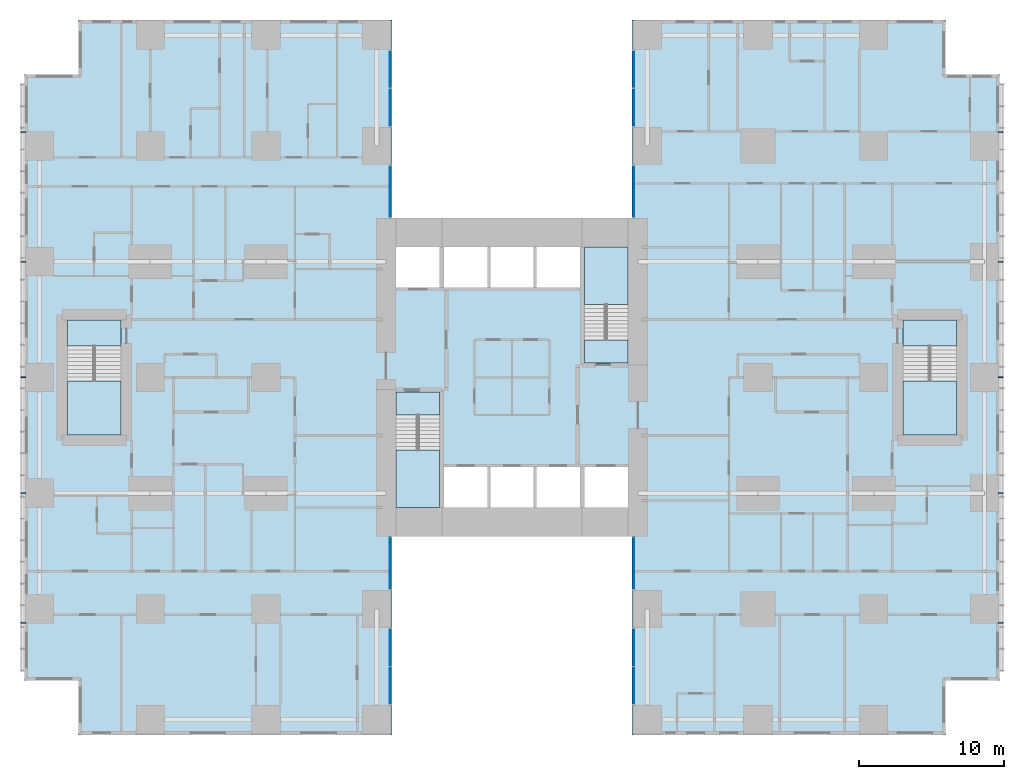
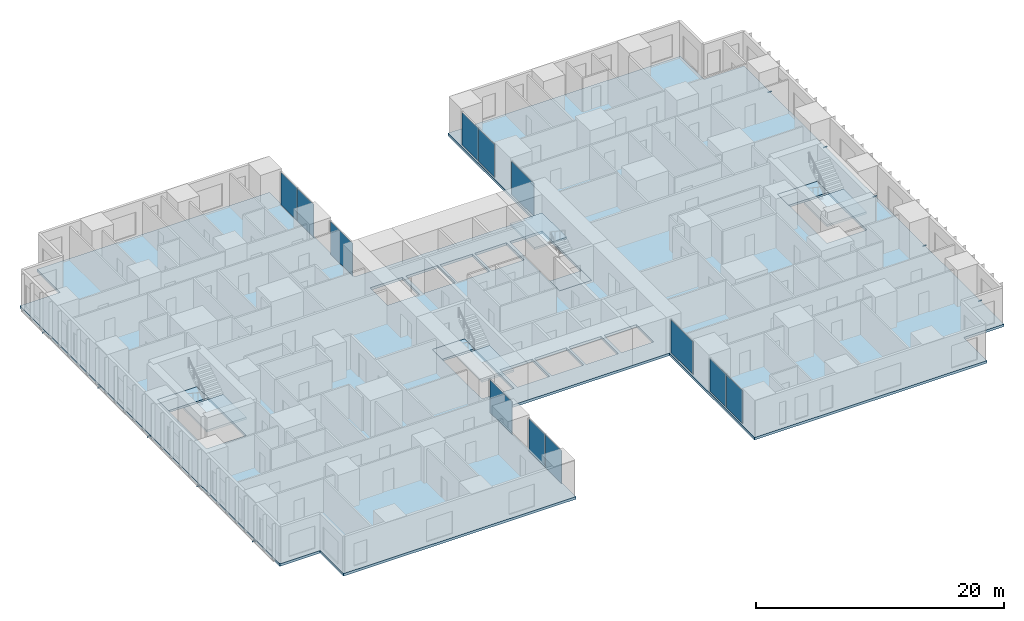
# One storey, part 7 of 20: 12 plates, 10 members, 9 slabs, 12 elements without a shape of their own.
"""IFC4 building model written with IfcOpenShell, lengths in metres."""

from ifc_helpers import new_model, si_unit, direction, frame, origin, origin_2d, place, context, subcontext, project, spatial, polyline, rectangle, hollow_rectangle, outline, extrude, material, layer, layer_set, material_profile, profile_set, type_object, element, aggregate, save


model = new_model("IFC4")

# Units and contexts
model_context = context("Model", 3, precision=1e-05, world=origin(), true_north=direction((0.0, 1.0)))
body_context = subcontext(model_context, "Body", "Model", "MODEL_VIEW")
ifc_project = project(units=[si_unit("LENGTHUNIT", "METRE"), si_unit("AREAUNIT", "SQUARE_METRE"), si_unit("VOLUMEUNIT", "CUBIC_METRE"), si_unit("PLANEANGLEUNIT", "RADIAN"), si_unit("MASSUNIT", "GRAM", prefix="KILO")], contexts=[model_context])

# Site, building, storey
site_placement = place(None, origin())
site = spatial("IfcSite", under=ifc_project, at=site_placement, CompositionType="ELEMENT")
building_placement = place(site_placement, origin())
building = spatial("IfcBuilding", under=site, at=building_placement, Name="Cleftline Residences", CompositionType="ELEMENT")
storey_placement = place(building_placement, frame((0.0, 0.0, 110.60009765625)))
storey = spatial("IfcBuildingStorey", under=building, at=storey_placement, Name="L28", CompositionType="ELEMENT", Elevation=110.60009765625)

# Members
ifc_material_1 = material(Name="Steel S355, hot-dip galvanised", Category="steel")
ifc_material_profile = material_profile(ifc_material_1, hollow_rectangle(XDim=0.10009765625, YDim=0.10009765625, WallThickness=0.008056640625, InnerFilletRadius=0.008056640625, OuterFilletRadius=0.011962890625, at=origin_2d()))
ifc_profile_set = profile_set([ifc_material_profile], Name="Steel S355, hot-dip galvanised")
member_type = type_object("IfcMemberType", Name="BAGUETTE BRACKET SHS 100X100X8", PredefinedType="USERDEFINED", material=ifc_profile_set)
for number, where, z_axis, x_axis, name in (
    (1, (66.60009765625, 7.050048828125, -0.150146484375), (1.0, 0.0, 0.0), (0.0, 1.0, 0.0), "Baguette bracket"),
    (2, (66.60009765625, 16.0, -0.150146484375), (1.0, 0.0, 0.0), (0.0, 1.0, 0.0), "Baguette bracket"),
    (3, (66.60009765625, 24.0, -0.150146484375), (1.0, 0.0, 0.0), (0.0, 1.0, 0.0), "Baguette bracket"),
    (4, (66.60009765625, 32.0, -0.150146484375), (1.0, 0.0, 0.0), (0.0, 1.0, 0.0), "Baguette bracket"),
    (5, (66.60009765625, 40.949951171875, -0.150146484375), (1.0, 0.0, 0.0), (0.0, 1.0, 0.0), "Baguette bracket"),
    (6, (-0.60009765625, 40.949951171875, -0.150146484375), (-1.0, 0.0, 0.0), (0.0, -1.0, 0.0), "Baguette bracket"),
    (7, (-0.60009765625, 32.0, -0.150146484375), (-1.0, 0.0, 0.0), (0.0, -1.0, 0.0), "Baguette bracket"),
    (8, (-0.60009765625, 24.0, -0.150146484375), (-1.0, 0.0, 0.0), (0.0, -1.0, 0.0), "Baguette bracket"),
    (9, (-0.60009765625, 16.0, -0.150146484375), (-1.0, 0.0, 0.0), (0.0, -1.0, 0.0), "Baguette bracket"),
    (10, (-0.60009765625, 7.050048828125, -0.150146484375), (-1.0, 0.0, 0.0), (0.0, -1.0, 0.0), "Baguette bracket"),
):
    element("IfcMember", number, at=place(storey_placement, frame(where, z_axis=z_axis, x_axis=x_axis)), inside=storey, type_object=member_type, Name=name, ObjectType="BAGUETTE BRACKET", PredefinedType="USERDEFINED", context=body_context, shape_type="SweptSolid", body=[
        extrude(hollow_rectangle(XDim=0.10009765625, YDim=0.10009765625, WallThickness=0.008056640625, InnerFilletRadius=0.008056640625, OuterFilletRadius=0.011962890625, at=origin_2d()), origin(), (0.0, 0.0, 1.0), 0.349853515625),
    ])

# Curtain wall, plates
ifc_material_2 = material(Name="Aluminium framed curtain wall", Category="aluminium")
ifc_layer_1 = layer(ifc_material_2, 0.199951171875)
ifc_layer_set_1 = layer_set([ifc_layer_1], Name="CW1 CLEFT GLAZING")
curtain_wall_type = type_object("IfcCurtainWallType", Name="CW1 CLEFT GLAZING", PredefinedType="NOTDEFINED", material=ifc_layer_set_1)
curtain_wall_1_placement = place(storey_placement, origin())
curtain_wall_1 = element("IfcCurtainWall", 11, at=curtain_wall_1_placement, inside=storey, type_object=curtain_wall_type, Name="Curtain wall CW1", PredefinedType="NOTDEFINED")
ifc_material_3 = material(Name="Laminated clear glass", Category="glass")
ifc_layer_2 = layer(ifc_material_3, 0.028076171875)
ifc_layer_set_2 = layer_set([ifc_layer_2], Name="CW1 GLASS PANEL")
plate_type = type_object("IfcPlateType", Name="CW1 GLASS PANEL", PredefinedType="CURTAIN_PANEL", material=ifc_layer_set_2)
plate_1_placement = place(storey_placement, frame((24.574951171875, 2.702392578125, 0.059814453125), z_axis=(0.0, 0.0, 1.0), x_axis=(0.0, 1.0, 0.0)))
plate_1 = element("IfcPlate", 12, at=plate_1_placement, type_object=plate_type, Name="CW1 panel 1.1", PredefinedType="CURTAIN_PANEL", context=body_context, shape_type="SweptSolid", body=[
    extrude(rectangle(XDim=2.5849609375, YDim=0.028076171875, at=origin_2d()), origin(), (0.0, 0.0, 1.0), 3.22998046875),
])
plate_2_placement = place(storey_placement, frame((24.574951171875, 5.347412109375, 0.059814453125), z_axis=(0.0, 0.0, 1.0), x_axis=(0.0, 1.0, 0.0)))
plate_2 = element("IfcPlate", 13, at=plate_2_placement, type_object=plate_type, Name="CW1 panel 2.1", PredefinedType="CURTAIN_PANEL", context=body_context, shape_type="SweptSolid", body=[
    extrude(rectangle(XDim=2.5849609375, YDim=0.028076171875, at=origin_2d()), origin(), (0.0, 0.0, 1.0), 3.22998046875),
])
aggregate(curtain_wall_1, [plate_1, plate_2])

# Curtain wall, plate
curtain_wall_2_placement = place(storey_placement, origin())
curtain_wall_2 = element("IfcCurtainWall", 14, at=curtain_wall_2_placement, inside=storey, type_object=curtain_wall_type, Name="Curtain wall CW1", PredefinedType="NOTDEFINED")
plate_3_placement = place(storey_placement, frame((24.574951171875, 11.14990234375, 0.059814453125), z_axis=(0.0, 0.0, 1.0), x_axis=(0.0, 1.0, 0.0)))
plate_3 = element("IfcPlate", 15, at=plate_3_placement, type_object=plate_type, Name="CW1 panel 1.1", PredefinedType="CURTAIN_PANEL", context=body_context, shape_type="SweptSolid", body=[
    extrude(rectangle(XDim=3.580078125, YDim=0.028076171875, at=origin_2d()), origin(), (0.0, 0.0, 1.0), 3.22998046875),
])
aggregate(curtain_wall_2, [plate_3])

curtain_wall_3_placement = place(storey_placement, origin())
curtain_wall_3 = element("IfcCurtainWall", 16, at=curtain_wall_3_placement, inside=storey, type_object=curtain_wall_type, Name="Curtain wall CW1", PredefinedType="NOTDEFINED")
plate_4_placement = place(storey_placement, frame((41.425048828125, 11.14990234375, 0.059814453125), z_axis=(0.0, 0.0, 1.0), x_axis=(0.0, -1.0, 0.0)))
plate_4 = element("IfcPlate", 17, at=plate_4_placement, type_object=plate_type, Name="CW1 panel 1.1", PredefinedType="CURTAIN_PANEL", context=body_context, shape_type="SweptSolid", body=[
    extrude(rectangle(XDim=3.580078125, YDim=0.028076171875, at=origin_2d()), origin(), (0.0, 0.0, 1.0), 3.22998046875),
])
aggregate(curtain_wall_3, [plate_4])

# Curtain wall, plates
curtain_wall_4_placement = place(storey_placement, origin())
curtain_wall_4 = element("IfcCurtainWall", 18, at=curtain_wall_4_placement, inside=storey, type_object=curtain_wall_type, Name="Curtain wall CW1", PredefinedType="NOTDEFINED")
plate_5_placement = place(storey_placement, frame((41.425048828125, 5.347412109375, 0.059814453125), z_axis=(0.0, 0.0, 1.0), x_axis=(0.0, -1.0, 0.0)))
plate_5 = element("IfcPlate", 19, at=plate_5_placement, type_object=plate_type, Name="CW1 panel 1.1", PredefinedType="CURTAIN_PANEL", context=body_context, shape_type="SweptSolid", body=[
    extrude(rectangle(XDim=2.5849609375, YDim=0.028076171875, at=origin_2d()), origin(), (0.0, 0.0, 1.0), 3.22998046875),
])
plate_6_placement = place(storey_placement, frame((41.425048828125, 2.702392578125, 0.059814453125), z_axis=(0.0, 0.0, 1.0), x_axis=(0.0, -1.0, 0.0)))
plate_6 = element("IfcPlate", 20, at=plate_6_placement, type_object=plate_type, Name="CW1 panel 2.1", PredefinedType="CURTAIN_PANEL", context=body_context, shape_type="SweptSolid", body=[
    extrude(rectangle(XDim=2.5849609375, YDim=0.028076171875, at=origin_2d()), origin(), (0.0, 0.0, 1.0), 3.22998046875),
])
aggregate(curtain_wall_4, [plate_5, plate_6])

curtain_wall_5_placement = place(storey_placement, origin())
curtain_wall_5 = element("IfcCurtainWall", 21, at=curtain_wall_5_placement, inside=storey, type_object=curtain_wall_type, Name="Curtain wall CW1", PredefinedType="NOTDEFINED")
plate_7_placement = place(storey_placement, frame((41.425048828125, 45.297607421875, 0.059814453125), z_axis=(0.0, 0.0, 1.0), x_axis=(0.0, -1.0, 0.0)))
plate_7 = element("IfcPlate", 22, at=plate_7_placement, type_object=plate_type, Name="CW1 panel 1.1", PredefinedType="CURTAIN_PANEL", context=body_context, shape_type="SweptSolid", body=[
    extrude(rectangle(XDim=2.5849609375, YDim=0.028076171875, at=origin_2d()), origin(), (0.0, 0.0, 1.0), 3.22998046875),
])
plate_8_placement = place(storey_placement, frame((41.425048828125, 42.652587890625, 0.059814453125), z_axis=(0.0, 0.0, 1.0), x_axis=(0.0, -1.0, 0.0)))
plate_8 = element("IfcPlate", 23, at=plate_8_placement, type_object=plate_type, Name="CW1 panel 2.1", PredefinedType="CURTAIN_PANEL", context=body_context, shape_type="SweptSolid", body=[
    extrude(rectangle(XDim=2.5849609375, YDim=0.028076171875, at=origin_2d()), origin(), (0.0, 0.0, 1.0), 3.22998046875),
])
aggregate(curtain_wall_5, [plate_7, plate_8])

# Curtain wall, plate
curtain_wall_6_placement = place(storey_placement, origin())
curtain_wall_6 = element("IfcCurtainWall", 24, at=curtain_wall_6_placement, inside=storey, type_object=curtain_wall_type, Name="Curtain wall CW1", PredefinedType="NOTDEFINED")
plate_9_placement = place(storey_placement, frame((41.425048828125, 36.85009765625, 0.059814453125), z_axis=(0.0, 0.0, 1.0), x_axis=(0.0, -1.0, 0.0)))
plate_9 = element("IfcPlate", 25, at=plate_9_placement, type_object=plate_type, Name="CW1 panel 1.1", PredefinedType="CURTAIN_PANEL", context=body_context, shape_type="SweptSolid", body=[
    extrude(rectangle(XDim=3.580078125, YDim=0.028076171875, at=origin_2d()), origin(), (0.0, 0.0, 1.0), 3.22998046875),
])
aggregate(curtain_wall_6, [plate_9])

curtain_wall_7_placement = place(storey_placement, origin())
curtain_wall_7 = element("IfcCurtainWall", 26, at=curtain_wall_7_placement, inside=storey, type_object=curtain_wall_type, Name="Curtain wall CW1", PredefinedType="NOTDEFINED")
plate_10_placement = place(storey_placement, frame((24.574951171875, 36.85009765625, 0.059814453125), z_axis=(0.0, 0.0, 1.0), x_axis=(0.0, 1.0, 0.0)))
plate_10 = element("IfcPlate", 27, at=plate_10_placement, type_object=plate_type, Name="CW1 panel 1.1", PredefinedType="CURTAIN_PANEL", context=body_context, shape_type="SweptSolid", body=[
    extrude(rectangle(XDim=3.580078125, YDim=0.028076171875, at=origin_2d()), origin(), (0.0, 0.0, 1.0), 3.22998046875),
])
aggregate(curtain_wall_7, [plate_10])

# Curtain wall, plates
curtain_wall_8_placement = place(storey_placement, origin())
curtain_wall_8 = element("IfcCurtainWall", 28, at=curtain_wall_8_placement, inside=storey, type_object=curtain_wall_type, Name="Curtain wall CW1", PredefinedType="NOTDEFINED")
plate_11_placement = place(storey_placement, frame((24.574951171875, 42.652587890625, 0.059814453125), z_axis=(0.0, 0.0, 1.0), x_axis=(0.0, 1.0, 0.0)))
plate_11 = element("IfcPlate", 29, at=plate_11_placement, type_object=plate_type, Name="CW1 panel 1.1", PredefinedType="CURTAIN_PANEL", context=body_context, shape_type="SweptSolid", body=[
    extrude(rectangle(XDim=2.5849609375, YDim=0.028076171875, at=origin_2d()), origin(), (0.0, 0.0, 1.0), 3.22998046875),
])
plate_12_placement = place(storey_placement, frame((24.574951171875, 45.297607421875, 0.059814453125), z_axis=(0.0, 0.0, 1.0), x_axis=(0.0, 1.0, 0.0)))
plate_12 = element("IfcPlate", 30, at=plate_12_placement, type_object=plate_type, Name="CW1 panel 2.1", PredefinedType="CURTAIN_PANEL", context=body_context, shape_type="SweptSolid", body=[
    extrude(rectangle(XDim=2.5849609375, YDim=0.028076171875, at=origin_2d()), origin(), (0.0, 0.0, 1.0), 3.22998046875),
])
aggregate(curtain_wall_8, [plate_11, plate_12])

# Slab
ifc_material_4 = material(Name="Concrete B45", Category="concrete")
ifc_layer_3 = layer(ifc_material_4, 0.25)
ifc_layer_set_3 = layer_set([ifc_layer_3], Name="FLOOR SLAB 250")
slab_type_1 = type_object("IfcSlabType", Name="FLOOR SLAB 250", PredefinedType="FLOOR", material=ifc_layer_set_3)
slab_1_placement = place(storey_placement, frame((0.0, 0.0, -0.25)))
element("IfcSlab", 31, at=slab_1_placement, inside=storey, type_object=slab_type_1, Name="Floor slab L28", PredefinedType="FLOOR", context=body_context, shape_type="SweptSolid", body=[
    extrude(outline(polyline([(24.699951171875, 13.0), (41.300048828125, 13.0), (41.300048828125, -0.699951171875), (62.949951171875, -0.699951171875), (62.949951171875, 3.050048828125), (66.699951171875, 3.050048828125), (66.699951171875, 44.949951171875), (62.949951171875, 44.949951171875), (62.949951171875, 48.699951171875), (41.300048828125, 48.699951171875), (41.300048828125, 35.0), (24.699951171875, 35.0), (24.699951171875, 48.699951171875), (3.050048828125, 48.699951171875), (3.050048828125, 44.949951171875), (-0.699951171875, 44.949951171875), (-0.699951171875, 3.050048828125), (3.050048828125, 3.050048828125), (3.050048828125, -0.699951171875), (24.699951171875, -0.699951171875), (24.699951171875, 13.0)]), holes=[polyline([(28.0, 15.0), (28.0, 23.0), (25.0, 23.0), (25.0, 15.0), (28.0, 15.0)]), polyline([(41.0, 25.0), (41.0, 33.0), (38.0, 33.0), (38.0, 25.0), (41.0, 25.0)]), polyline([(28.0, 30.199951171875), (28.0, 33.0), (25.0, 33.0), (25.0, 30.199951171875), (28.0, 30.199951171875)]), polyline([(41.0, 15.0), (41.0, 17.800048828125), (38.0, 17.800048828125), (38.0, 15.0), (41.0, 15.0)]), polyline([(31.300048828125, 15.0), (31.300048828125, 17.800048828125), (28.300048828125, 17.800048828125), (28.300048828125, 15.0), (31.300048828125, 15.0)]), polyline([(34.5, 15.0), (34.5, 17.800048828125), (31.5, 17.800048828125), (31.5, 15.0), (34.5, 15.0)]), polyline([(37.699951171875, 15.0), (37.699951171875, 17.800048828125), (34.699951171875, 17.800048828125), (34.699951171875, 15.0), (37.699951171875, 15.0)]), polyline([(31.300048828125, 30.199951171875), (31.300048828125, 33.0), (28.300048828125, 33.0), (28.300048828125, 30.199951171875), (31.300048828125, 30.199951171875)]), polyline([(34.5, 30.199951171875), (34.5, 33.0), (31.5, 33.0), (31.5, 30.199951171875), (34.5, 30.199951171875)]), polyline([(37.699951171875, 30.199951171875), (37.699951171875, 33.0), (34.699951171875, 33.0), (34.699951171875, 30.199951171875), (37.699951171875, 30.199951171875)]), polyline([(63.72509765625, 20.02490234375), (63.72509765625, 27.97509765625), (60.02490234375, 27.97509765625), (60.02490234375, 20.02490234375), (63.72509765625, 20.02490234375)]), polyline([(5.97509765625, 20.02490234375), (5.97509765625, 27.97509765625), (2.27490234375, 27.97509765625), (2.27490234375, 20.02490234375), (5.97509765625, 20.02490234375)])]), origin(), (0.0, 0.0, 1.0), 0.25),
])

# Stair, slabs
ifc_material_5 = material(Name="Concrete B45, stone treads", Category="masonry")
stair_type_1 = type_object("IfcStairType", Name="STAIR A 1450 WIDE 180 RISER", PredefinedType="HALF_TURN_STAIR", material=ifc_material_5)
stair_1_placement = place(storey_placement, origin())
stair_1 = element("IfcStair", 32, at=stair_1_placement, inside=storey, type_object=stair_type_1, Name="Stair A L28", PredefinedType="HALF_TURN_STAIR")
ifc_material_6 = material(Name="Concrete B45", Category="concrete")
ifc_layer_4 = layer(ifc_material_6, 0.199951171875)
ifc_layer_set_4 = layer_set([ifc_layer_4], Name="STAIR LANDING 200")
slab_type_2 = type_object("IfcSlabType", Name="STAIR LANDING 200", PredefinedType="LANDING", material=ifc_layer_set_4)
slab_2_placement = place(storey_placement, frame((0.0, 0.0, -0.2001953125)))
slab_2 = element("IfcSlab", 33, at=slab_2_placement, type_object=slab_type_2, Name="ST-A landing 1", PredefinedType="LANDING", context=body_context, shape_type="SweptSolid", body=[
    extrude(outline(polyline([(25.0, 21.39990234375), (28.0, 21.39990234375), (28.0, 23.0), (25.0, 23.0), (25.0, 21.39990234375)])), origin(), (0.0, 0.0, 1.0), 0.2001953125),
])
slab_3_placement = place(storey_placement, frame((0.0, 0.0, 1.599853515625)))
slab_3 = element("IfcSlab", 34, at=slab_3_placement, type_object=slab_type_2, Name="ST-A landing 2", PredefinedType="LANDING", context=body_context, shape_type="SweptSolid", body=[
    extrude(outline(polyline([(25.0, 15.0), (28.0, 15.0), (28.0, 18.969970703125), (25.0, 18.969970703125), (25.0, 15.0)])), origin(), (0.0, 0.0, 1.0), 0.199951171875),
])
aggregate(stair_1, [slab_2, slab_3])

ifc_material_7 = material(Name="Concrete B45, stone treads", Category="masonry")
stair_type_2 = type_object("IfcStairType", Name="STAIR B 1450 WIDE 180 RISER", PredefinedType="HALF_TURN_STAIR", material=ifc_material_7)
stair_2_placement = place(storey_placement, origin())
stair_2 = element("IfcStair", 35, at=stair_2_placement, inside=storey, type_object=stair_type_2, Name="Stair B L28", PredefinedType="HALF_TURN_STAIR")
slab_4_placement = place(storey_placement, frame((0.0, 0.0, -0.2001953125)))
slab_4 = element("IfcSlab", 36, at=slab_4_placement, type_object=slab_type_2, Name="ST-B landing 1", PredefinedType="LANDING", context=body_context, shape_type="SweptSolid", body=[
    extrude(outline(polyline([(38.0, 25.0), (41.0, 25.0), (41.0, 26.60009765625), (38.0, 26.60009765625), (38.0, 25.0)])), origin(), (0.0, 0.0, 1.0), 0.2001953125),
])
slab_5_placement = place(storey_placement, frame((0.0, 0.0, 1.599853515625)))
slab_5 = element("IfcSlab", 37, at=slab_5_placement, type_object=slab_type_2, Name="ST-B landing 2", PredefinedType="LANDING", context=body_context, shape_type="SweptSolid", body=[
    extrude(outline(polyline([(38.0, 29.030029296875), (41.0, 29.030029296875), (41.0, 33.0), (38.0, 33.0), (38.0, 29.030029296875)])), origin(), (0.0, 0.0, 1.0), 0.199951171875),
])
aggregate(stair_2, [slab_4, slab_5])

ifc_material_8 = material(Name="Concrete B45, stone treads", Category="masonry")
stair_type_3 = type_object("IfcStairType", Name="STAIR E 1800 WIDE 180 RISER", PredefinedType="HALF_TURN_STAIR", material=ifc_material_8)
stair_3_placement = place(storey_placement, origin())
stair_3 = element("IfcStair", 38, at=stair_3_placement, inside=storey, type_object=stair_type_3, Name="Stair E L28", PredefinedType="HALF_TURN_STAIR")
slab_6_placement = place(storey_placement, frame((0.0, 0.0, -0.2001953125)))
slab_6 = element("IfcSlab", 39, at=slab_6_placement, type_object=slab_type_2, Name="ST-E landing 1", PredefinedType="LANDING", context=body_context, shape_type="SweptSolid", body=[
    extrude(outline(polyline([(60.02490234375, 26.175048828125), (63.72509765625, 26.175048828125), (63.72509765625, 27.97509765625), (60.02490234375, 27.97509765625), (60.02490234375, 26.175048828125)])), origin(), (0.0, 0.0, 1.0), 0.2001953125),
])
slab_7_placement = place(storey_placement, frame((0.0, 0.0, 1.599853515625)))
slab_7 = element("IfcSlab", 40, at=slab_7_placement, type_object=slab_type_2, Name="ST-E landing 2", PredefinedType="LANDING", context=body_context, shape_type="SweptSolid", body=[
    extrude(outline(polyline([(60.02490234375, 20.02490234375), (63.72509765625, 20.02490234375), (63.72509765625, 23.7451171875), (60.02490234375, 23.7451171875), (60.02490234375, 20.02490234375)])), origin(), (0.0, 0.0, 1.0), 0.199951171875),
])
aggregate(stair_3, [slab_6, slab_7])

ifc_material_9 = material(Name="Concrete B45, stone treads", Category="masonry")
stair_type_4 = type_object("IfcStairType", Name="STAIR W 1800 WIDE 180 RISER", PredefinedType="HALF_TURN_STAIR", material=ifc_material_9)
stair_4_placement = place(storey_placement, origin())
stair_4 = element("IfcStair", 41, at=stair_4_placement, inside=storey, type_object=stair_type_4, Name="Stair W L28", PredefinedType="HALF_TURN_STAIR")
slab_8_placement = place(storey_placement, frame((0.0, 0.0, -0.2001953125)))
slab_8 = element("IfcSlab", 42, at=slab_8_placement, type_object=slab_type_2, Name="ST-W landing 1", PredefinedType="LANDING", context=body_context, shape_type="SweptSolid", body=[
    extrude(outline(polyline([(2.27490234375, 26.175048828125), (5.97509765625, 26.175048828125), (5.97509765625, 27.97509765625), (2.27490234375, 27.97509765625), (2.27490234375, 26.175048828125)])), origin(), (0.0, 0.0, 1.0), 0.2001953125),
])
slab_9_placement = place(storey_placement, frame((0.0, 0.0, 1.599853515625)))
slab_9 = element("IfcSlab", 43, at=slab_9_placement, type_object=slab_type_2, Name="ST-W landing 2", PredefinedType="LANDING", context=body_context, shape_type="SweptSolid", body=[
    extrude(outline(polyline([(2.27490234375, 20.02490234375), (5.97509765625, 20.02490234375), (5.97509765625, 23.7451171875), (2.27490234375, 23.7451171875), (2.27490234375, 20.02490234375)])), origin(), (0.0, 0.0, 1.0), 0.199951171875),
])
aggregate(stair_4, [slab_8, slab_9])

save(model, "model.ifc")
